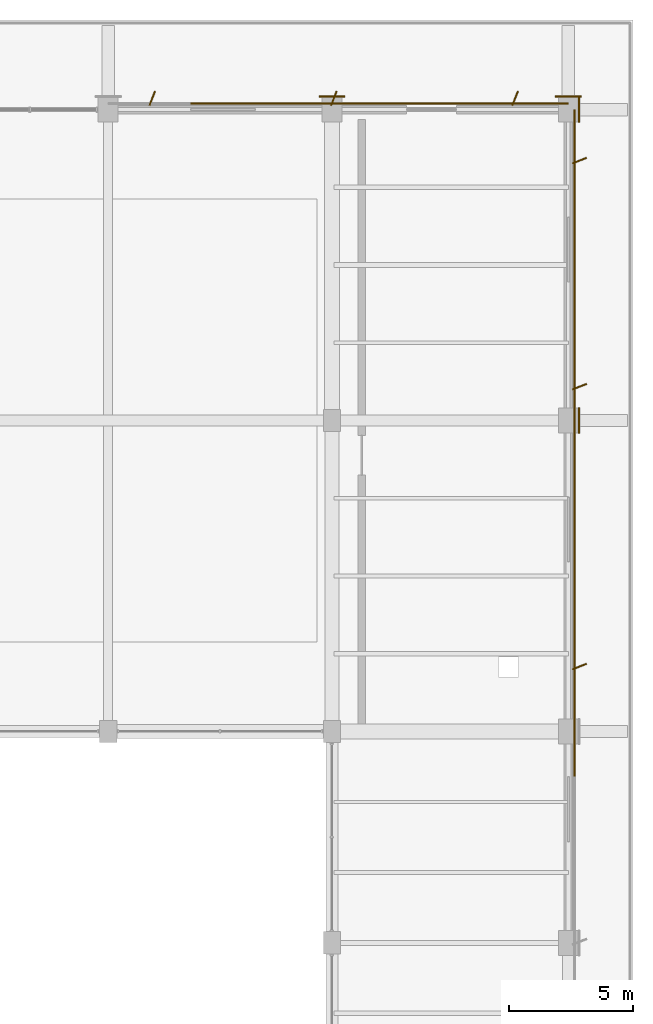
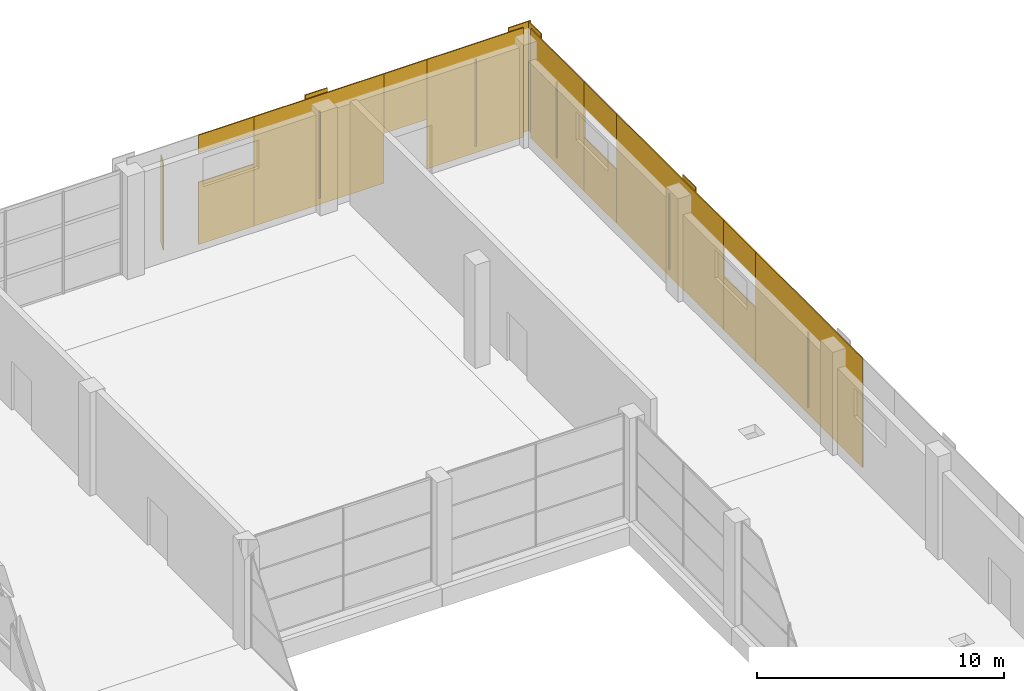
# One storey, part 89 of 90: 22 coverings.
"""IFC4 building model written with IfcOpenShell, lengths in metres."""

from ifc_helpers import new_model, si_unit, direction, frame, origin, origin_2d, place, context, subcontext, project, spatial, rectangle, extrude, material, layer, layer_set, type_object, element, save


model = new_model("IFC4")

# Units and contexts
model_context = context("Model", 3, precision=1e-05, world=origin(), true_north=direction((0.0, 1.0)))
body_context = subcontext(model_context, "Body", "Model", "MODEL_VIEW")
ifc_project = project(units=[si_unit("LENGTHUNIT", "METRE"), si_unit("AREAUNIT", "SQUARE_METRE"), si_unit("VOLUMEUNIT", "CUBIC_METRE"), si_unit("PLANEANGLEUNIT", "RADIAN"), si_unit("MASSUNIT", "GRAM", prefix="KILO")], contexts=[model_context])

# Site, building, storey
site_placement = place(None, origin())
site = spatial("IfcSite", under=ifc_project, at=site_placement, CompositionType="ELEMENT")
building_placement = place(site_placement, origin())
building = spatial("IfcBuilding", under=site, at=building_placement, Name="Solvikara Media Centre", CompositionType="ELEMENT")
storey_placement = place(building_placement, origin())
storey = spatial("IfcBuildingStorey", under=building, at=storey_placement, Name="L00", CompositionType="ELEMENT", Elevation=0.0)

# Coverings
ifc_material = material(Name="GFRC white mineral architectural rainscreen panel")
ifc_layer = layer(ifc_material, 0.050048828125)
ifc_layer_set = layer_set([ifc_layer], Name="GFRC white mineral architectural rainscreen panel")
covering_type = type_object("IfcCoveringType", Name="CV-04", PredefinedType="CLADDING", material=ifc_layer_set)
for number, where, z_axis, x_axis, name in (
    (1, (154.5, 114.52490234375, 0.0), (0.0, 0.0, 1.0), (-1.0, 0.0, 0.0), "PIL-L00-285"),
    (2, (164.425048828125, 101.5, 0.0), (0.0, 0.0, 1.0), (0.0, 1.0, 0.0), "PIL-L00-295"),
    (3, (164.425048828125, 114.0, 0.0), (0.0, 0.0, 1.0), (0.0, 1.0, 0.0), "PIL-L00-297"),
    (4, (164.0, 114.52490234375, 0.0), (0.0, 0.0, 1.0), (-1.0, 0.0, 0.0), "PIL-L00-298"),
):
    element("IfcCovering", number, at=place(storey_placement, frame(where, z_axis=z_axis, x_axis=x_axis)), inside=storey, type_object=covering_type, Name=name, PredefinedType="CLADDING", context=body_context, shape_type="SweptSolid", body=[
        extrude(rectangle(XDim=1.0400390625, YDim=0.050048828125, at=origin_2d()), origin(), (0.0, 0.0, 1.0), 5.39990234375),
    ])
covering_1_placement = place(storey_placement, frame((164.2451171875, 91.5, 0.0), z_axis=(0.0, 0.0, 1.0), x_axis=(0.0, 1.0, 0.0)))
element("IfcCovering", 5, at=covering_1_placement, inside=storey, type_object=covering_type, Name="L00-V2E-CV-F09", PredefinedType="CLADDING", context=body_context, shape_type="SweptSolid", body=[
    extrude(rectangle(XDim=8.64990234375, YDim=0.050048828125, at=origin_2d()), origin(), (0.0, 0.0, 1.0), 5.39990234375),
])
covering_2_placement = place(storey_placement, frame((164.449951171875, 91.610107421875, 0.35009765625), z_axis=(0.0, 0.0, 1.0), x_axis=(0.930749810713, 0.3656566557, 0.0)))
element("IfcCovering", 6, at=covering_2_placement, inside=storey, type_object=covering_type, Name="L00-V2E-FIN-09", PredefinedType="CLADDING", context=body_context, shape_type="SweptSolid", body=[
    extrude(rectangle(XDim=0.60205078125, YDim=0.050048828125, at=origin_2d()), origin(), (0.0, 0.0, 1.0), 3.739990234375),
])
covering_3_placement = place(storey_placement, frame((164.2451171875, 97.125, 0.0), z_axis=(0.0, 0.0, 1.0), x_axis=(0.0, 1.0, 0.0)))
element("IfcCovering", 7, at=covering_3_placement, inside=storey, type_object=covering_type, Name="L00-V2E-CV-S10", PredefinedType="CLADDING", context=body_context, shape_type="SweptSolid", body=[
    extrude(rectangle(XDim=2.60009765625, YDim=0.050048828125, at=origin_2d()), origin(), (0.0, 0.0, 1.0), 2.64990234375),
])
covering_4_placement = place(storey_placement, frame((164.2451171875, 97.125, 4.10986328125), z_axis=(0.0, 0.0, 1.0), x_axis=(0.0, 1.0, 0.0)))
element("IfcCovering", 8, at=covering_4_placement, inside=storey, type_object=covering_type, Name="L00-V2E-CV-H10", PredefinedType="CLADDING", context=body_context, shape_type="SweptSolid", body=[
    extrude(rectangle(XDim=2.60009765625, YDim=0.050048828125, at=origin_2d()), origin(), (0.0, 0.0, 1.0), 1.2900390625),
])
covering_5_placement = place(storey_placement, frame((164.2451171875, 102.75, 0.0), z_axis=(0.0, 0.0, 1.0), x_axis=(0.0, 1.0, 0.0)))
element("IfcCovering", 9, at=covering_5_placement, inside=storey, type_object=covering_type, Name="L00-V2E-CV-F11", PredefinedType="CLADDING", context=body_context, shape_type="SweptSolid", body=[
    extrude(rectangle(XDim=8.64990234375, YDim=0.050048828125, at=origin_2d()), origin(), (0.0, 0.0, 1.0), 5.39990234375),
])
covering_6_placement = place(storey_placement, frame((164.449951171875, 102.860107421875, 0.35009765625), z_axis=(0.0, 0.0, 1.0), x_axis=(0.930749810713, 0.3656566557, 0.0)))
element("IfcCovering", 10, at=covering_6_placement, inside=storey, type_object=covering_type, Name="L00-V2E-FIN-11", PredefinedType="CLADDING", context=body_context, shape_type="SweptSolid", body=[
    extrude(rectangle(XDim=0.60205078125, YDim=0.050048828125, at=origin_2d()), origin(), (0.0, 0.0, 1.0), 3.739990234375),
])
covering_7_placement = place(storey_placement, frame((164.2451171875, 108.375, 0.0), z_axis=(0.0, 0.0, 1.0), x_axis=(0.0, 1.0, 0.0)))
element("IfcCovering", 11, at=covering_7_placement, inside=storey, type_object=covering_type, Name="L00-V2E-CV-S12", PredefinedType="CLADDING", context=body_context, shape_type="SweptSolid", body=[
    extrude(rectangle(XDim=2.60009765625, YDim=0.050048828125, at=origin_2d()), origin(), (0.0, 0.0, 1.0), 2.64990234375),
])
covering_8_placement = place(storey_placement, frame((164.2451171875, 108.375, 4.10986328125), z_axis=(0.0, 0.0, 1.0), x_axis=(0.0, 1.0, 0.0)))
element("IfcCovering", 12, at=covering_8_placement, inside=storey, type_object=covering_type, Name="L00-V2E-CV-H12", PredefinedType="CLADDING", context=body_context, shape_type="SweptSolid", body=[
    extrude(rectangle(XDim=2.60009765625, YDim=0.050048828125, at=origin_2d()), origin(), (0.0, 0.0, 1.0), 1.2900390625),
])
covering_9_placement = place(storey_placement, frame((164.2451171875, 111.837890625, 0.0), z_axis=(0.0, 0.0, 1.0), x_axis=(0.0, 1.0, 0.0)))
element("IfcCovering", 13, at=covering_9_placement, inside=storey, type_object=covering_type, Name="L00-V2E-CV-F13", PredefinedType="CLADDING", context=body_context, shape_type="SweptSolid", body=[
    extrude(rectangle(XDim=4.324951171875, YDim=0.050048828125, at=origin_2d()), origin(), (0.0, 0.0, 1.0), 5.39990234375),
])
covering_10_placement = place(storey_placement, frame((164.449951171875, 111.947998046875, 0.35009765625), z_axis=(0.0, 0.0, 1.0), x_axis=(0.930749810713, 0.3656566557, 0.0)))
element("IfcCovering", 14, at=covering_10_placement, inside=storey, type_object=covering_type, Name="L00-V2E-FIN-13", PredefinedType="CLADDING", context=body_context, shape_type="SweptSolid", body=[
    extrude(rectangle(XDim=0.60205078125, YDim=0.050048828125, at=origin_2d()), origin(), (0.0, 0.0, 1.0), 3.739990234375),
])
covering_11_placement = place(storey_placement, frame((147.27197265625, 114.449951171875, 0.349853515625), z_axis=(0.0, 0.0, 1.0), x_axis=(0.3656566557, 0.930749810713, 0.0)))
element("IfcCovering", 15, at=covering_11_placement, inside=storey, type_object=covering_type, Name="L00-V2N-FIN-01", PredefinedType="CLADDING", context=body_context, shape_type="SweptSolid", body=[
    extrude(rectangle(XDim=0.60205078125, YDim=0.050048828125, at=origin_2d()), origin(), (0.0, 0.0, 1.0), 4.2880859375),
])
covering_12_placement = place(storey_placement, frame((150.125, 114.2451171875, 0.0), z_axis=(0.0, 0.0, 1.0), x_axis=(1.0, 0.0, 0.0)))
element("IfcCovering", 16, at=covering_12_placement, inside=storey, type_object=covering_type, Name="L00-V2N-CV-S02", PredefinedType="CLADDING", context=body_context, shape_type="SweptSolid", body=[
    extrude(rectangle(XDim=2.60009765625, YDim=0.050048828125, at=origin_2d()), origin(), (0.0, 0.0, 1.0), 3.070068359375),
])
covering_13_placement = place(storey_placement, frame((150.125, 114.2451171875, 4.530029296875), z_axis=(0.0, 0.0, 1.0), x_axis=(1.0, 0.0, 0.0)))
element("IfcCovering", 17, at=covering_13_placement, inside=storey, type_object=covering_type, Name="L00-V2N-CV-H02", PredefinedType="CLADDING", context=body_context, shape_type="SweptSolid", body=[
    extrude(rectangle(XDim=2.60009765625, YDim=0.050048828125, at=origin_2d()), origin(), (0.0, 0.0, 1.0), 0.8701171875),
])
covering_14_placement = place(storey_placement, frame((154.462890625, 114.2451171875, 0.0), z_axis=(0.0, 0.0, 1.0), x_axis=(1.0, 0.0, 0.0)))
element("IfcCovering", 18, at=covering_14_placement, inside=storey, type_object=covering_type, Name="L00-V2N-CV-F03", PredefinedType="CLADDING", context=body_context, shape_type="SweptSolid", body=[
    extrude(rectangle(XDim=6.074951171875, YDim=0.050048828125, at=origin_2d()), origin(), (0.0, 0.0, 1.0), 5.39990234375),
])
covering_15_placement = place(storey_placement, frame((154.572998046875, 114.449951171875, 0.349853515625), z_axis=(0.0, 0.0, 1.0), x_axis=(0.3656566557, 0.930749810713, 0.0)))
element("IfcCovering", 19, at=covering_15_placement, inside=storey, type_object=covering_type, Name="L00-V2N-FIN-03", PredefinedType="CLADDING", context=body_context, shape_type="SweptSolid", body=[
    extrude(rectangle(XDim=0.60205078125, YDim=0.050048828125, at=origin_2d()), origin(), (0.0, 0.0, 1.0), 4.2880859375),
])
covering_16_placement = place(storey_placement, frame((158.5, 114.2451171875, 2.4501953125), z_axis=(0.0, 0.0, 1.0), x_axis=(1.0, 0.0, 0.0)))
element("IfcCovering", 20, at=covering_16_placement, inside=storey, type_object=covering_type, Name="L00-V2N-CV-D04", PredefinedType="CLADDING", context=body_context, shape_type="SweptSolid", body=[
    extrude(rectangle(XDim=2.0, YDim=0.050048828125, at=origin_2d()), origin(), (0.0, 0.0, 1.0), 2.949951171875),
])
covering_17_placement = place(storey_placement, frame((161.75, 114.2451171875, 0.0), z_axis=(0.0, 0.0, 1.0), x_axis=(1.0, 0.0, 0.0)))
element("IfcCovering", 21, at=covering_17_placement, inside=storey, type_object=covering_type, Name="L00-V2N-CV-F05", PredefinedType="CLADDING", context=body_context, shape_type="SweptSolid", body=[
    extrude(rectangle(XDim=4.5, YDim=0.050048828125, at=origin_2d()), origin(), (0.0, 0.0, 1.0), 5.39990234375),
])
covering_18_placement = place(storey_placement, frame((161.860107421875, 114.449951171875, 0.349853515625), z_axis=(0.0, 0.0, 1.0), x_axis=(0.3656566557, 0.930749810713, 0.0)))
element("IfcCovering", 22, at=covering_18_placement, inside=storey, type_object=covering_type, Name="L00-V2N-FIN-05", PredefinedType="CLADDING", context=body_context, shape_type="SweptSolid", body=[
    extrude(rectangle(XDim=0.60205078125, YDim=0.050048828125, at=origin_2d()), origin(), (0.0, 0.0, 1.0), 4.2880859375),
])

save(model, "model.ifc")
